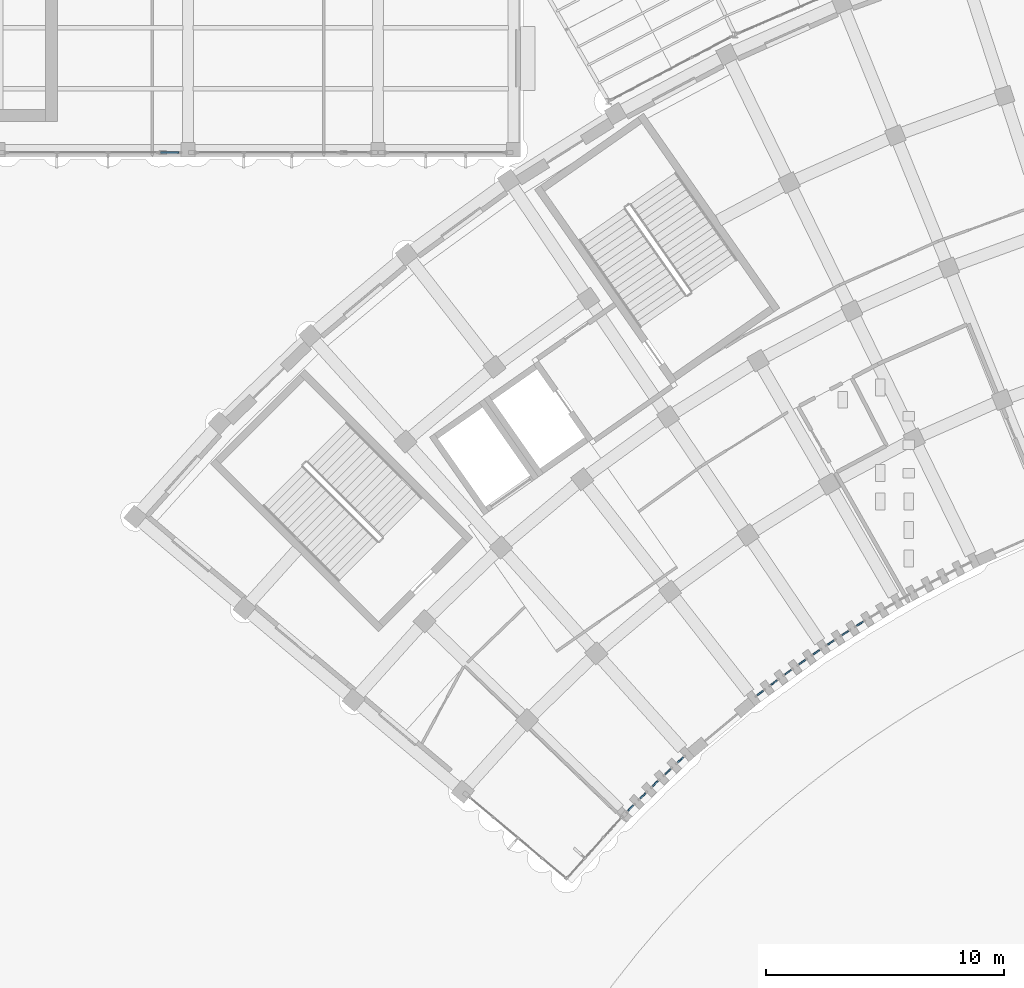
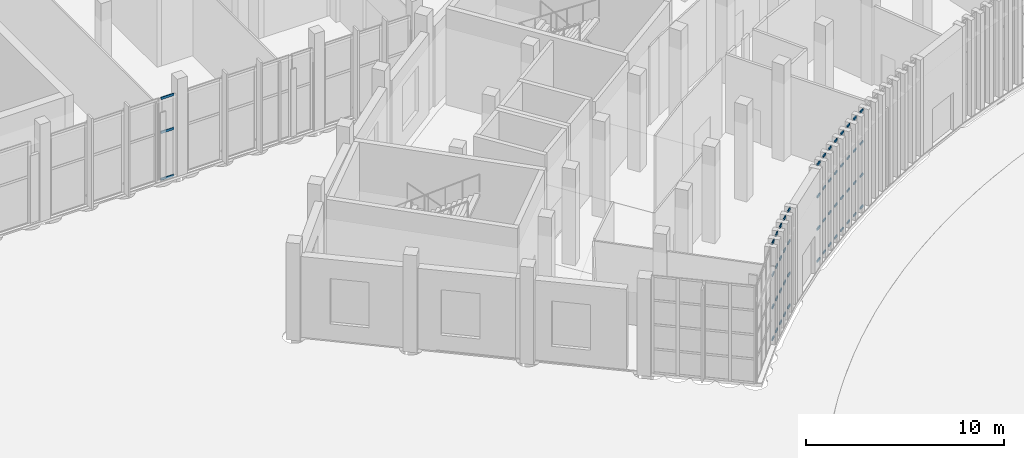
# One storey, part 63 of 155: 55 members, 14 elements without a shape of their own.
"""IFC4 building model written with IfcOpenShell, lengths in metres."""

from ifc_helpers import new_model, si_unit, direction, frame, origin, origin_2d, place, context, subcontext, project, spatial, rectangle, extrude, material, layer, layer_set, material_profile, profile_set, type_object, element, aggregate, save


model = new_model("IFC4")

# Units and contexts
model_context = context("Model", 3, precision=1e-05, world=origin(), true_north=direction((0.0, 1.0)))
body_context = subcontext(model_context, "Body", "Model", "MODEL_VIEW")
ifc_project = project(units=[si_unit("LENGTHUNIT", "METRE"), si_unit("AREAUNIT", "SQUARE_METRE"), si_unit("VOLUMEUNIT", "CUBIC_METRE"), si_unit("PLANEANGLEUNIT", "RADIAN"), si_unit("MASSUNIT", "GRAM", prefix="KILO")], contexts=[model_context])

# Site, building, storey
site_placement = place(None, origin())
site = spatial("IfcSite", under=ifc_project, at=site_placement, CompositionType="ELEMENT")
building_placement = place(site_placement, origin())
building = spatial("IfcBuilding", under=site, at=building_placement, Name="Lunette Opera House", CompositionType="ELEMENT")
storey_placement = place(building_placement, origin())
storey = spatial("IfcBuildingStorey", under=building, at=storey_placement, Name="L00", CompositionType="ELEMENT", Elevation=0.0)

# Curtain wall, members
ifc_material_1 = material(Name="Aluminium", Category="aluminium")
ifc_layer_1 = layer(ifc_material_1, 0.1201171875)
ifc_layer_set_1 = layer_set([ifc_layer_1], Name="Aluminium")
curtain_wall_type_1 = type_object("IfcCurtainWallType", Name="SLOT CURTAIN WALL", PredefinedType="NOTDEFINED", material=ifc_layer_set_1)
curtain_wall_1_placement = place(storey_placement, origin())
curtain_wall_1 = element("IfcCurtainWall", 1, at=curtain_wall_1_placement, inside=storey, type_object=curtain_wall_type_1, Name="Slot Curtain Wall CS001 L00", PredefinedType="NOTDEFINED")
ifc_material_2 = material(Name="Aluminium", Category="aluminium")
ifc_material_profile_1 = material_profile(ifc_material_2, rectangle(XDim=0.06005859375, YDim=0.1201171875, at=origin_2d()), Name="TRANSOM 60 X 120")
ifc_profile_set_1 = profile_set([ifc_material_profile_1], Name="Aluminium")
member_type_1 = type_object("IfcMemberType", Name="TRANSOM 60 X 120", PredefinedType="USERDEFINED", material=ifc_profile_set_1)
member_1_placement = place(storey_placement, frame((58.52490234375, 36.48095703125, 0.030029296875), z_axis=(0.698805007599, 0.715312212502, 0.0), x_axis=(-0.715312212502, 0.698805007599, 0.0)))
member_1 = element("IfcMember", 2, at=member_1_placement, type_object=member_type_1, Name="FC-X2001 transom 1.1", ObjectType="TRANSOM", PredefinedType="USERDEFINED", context=body_context, shape_type="SweptSolid", body=[
    extrude(rectangle(XDim=0.06005859375, YDim=0.1201171875, at=origin_2d()), origin(), (0.0, 0.0, 1.0), 0.310546875),
])
member_2_placement = place(storey_placement, frame((58.52490234375, 36.48095703125, 2.0), z_axis=(0.698805007599, 0.715312212502, 0.0), x_axis=(-0.715312212502, 0.698805007599, 0.0)))
member_2 = element("IfcMember", 3, at=member_2_placement, type_object=member_type_1, Name="FC-X2001 transom 1.2", ObjectType="TRANSOM", PredefinedType="USERDEFINED", context=body_context, shape_type="SweptSolid", body=[
    extrude(rectangle(XDim=0.06005859375, YDim=0.1201171875, at=origin_2d()), origin(), (0.0, 0.0, 1.0), 0.310546875),
])
member_3_placement = place(storey_placement, frame((58.52490234375, 36.48095703125, 4.0), z_axis=(0.698805007599, 0.715312212502, 0.0), x_axis=(-0.715312212502, 0.698805007599, 0.0)))
member_3 = element("IfcMember", 4, at=member_3_placement, type_object=member_type_1, Name="FC-X2001 transom 1.3", ObjectType="TRANSOM", PredefinedType="USERDEFINED", context=body_context, shape_type="SweptSolid", body=[
    extrude(rectangle(XDim=0.06005859375, YDim=0.1201171875, at=origin_2d()), origin(), (0.0, 0.0, 1.0), 0.310546875),
])
member_4_placement = place(storey_placement, frame((58.52490234375, 36.48095703125, 5.969970703125), z_axis=(0.698805007599, 0.715312212502, 0.0), x_axis=(-0.715312212502, 0.698805007599, 0.0)))
member_4 = element("IfcMember", 5, at=member_4_placement, type_object=member_type_1, Name="FC-X2001 transom 1.4", ObjectType="TRANSOM", PredefinedType="USERDEFINED", context=body_context, shape_type="SweptSolid", body=[
    extrude(rectangle(XDim=0.06005859375, YDim=0.1201171875, at=origin_2d()), origin(), (0.0, 0.0, 1.0), 0.310546875),
])
aggregate(curtain_wall_1, [member_1, member_2, member_3, member_4])

curtain_wall_2_placement = place(storey_placement, origin())
curtain_wall_2 = element("IfcCurtainWall", 6, at=curtain_wall_2_placement, inside=storey, type_object=curtain_wall_type_1, Name="Slot Curtain Wall CS002 L00", PredefinedType="NOTDEFINED")
member_5_placement = place(storey_placement, frame((59.03759765625, 37.001220703125, 0.030029296875), z_axis=(0.710635387605, 0.703560477773, 0.0), x_axis=(-0.703560477773, 0.710635387605, 0.0)))
member_5 = element("IfcMember", 7, at=member_5_placement, type_object=member_type_1, Name="FC-X2003 transom 1.1", ObjectType="TRANSOM", PredefinedType="USERDEFINED", context=body_context, shape_type="SweptSolid", body=[
    extrude(rectangle(XDim=0.06005859375, YDim=0.1201171875, at=origin_2d()), origin(), (0.0, 0.0, 1.0), 0.310546875),
])
member_6_placement = place(storey_placement, frame((59.03759765625, 37.001220703125, 2.0), z_axis=(0.710635387605, 0.703560477773, 0.0), x_axis=(-0.703560477773, 0.710635387605, 0.0)))
member_6 = element("IfcMember", 8, at=member_6_placement, type_object=member_type_1, Name="FC-X2003 transom 1.2", ObjectType="TRANSOM", PredefinedType="USERDEFINED", context=body_context, shape_type="SweptSolid", body=[
    extrude(rectangle(XDim=0.06005859375, YDim=0.1201171875, at=origin_2d()), origin(), (0.0, 0.0, 1.0), 0.310546875),
])
member_7_placement = place(storey_placement, frame((59.03759765625, 37.001220703125, 4.0), z_axis=(0.710635387605, 0.703560477773, 0.0), x_axis=(-0.703560477773, 0.710635387605, 0.0)))
member_7 = element("IfcMember", 9, at=member_7_placement, type_object=member_type_1, Name="FC-X2003 transom 1.3", ObjectType="TRANSOM", PredefinedType="USERDEFINED", context=body_context, shape_type="SweptSolid", body=[
    extrude(rectangle(XDim=0.06005859375, YDim=0.1201171875, at=origin_2d()), origin(), (0.0, 0.0, 1.0), 0.310546875),
])
member_8_placement = place(storey_placement, frame((59.03759765625, 37.001220703125, 5.969970703125), z_axis=(0.710635387605, 0.703560477773, 0.0), x_axis=(-0.703560477773, 0.710635387605, 0.0)))
member_8 = element("IfcMember", 10, at=member_8_placement, type_object=member_type_1, Name="FC-X2003 transom 1.4", ObjectType="TRANSOM", PredefinedType="USERDEFINED", context=body_context, shape_type="SweptSolid", body=[
    extrude(rectangle(XDim=0.06005859375, YDim=0.1201171875, at=origin_2d()), origin(), (0.0, 0.0, 1.0), 0.310546875),
])
aggregate(curtain_wall_2, [member_5, member_6, member_7, member_8])

curtain_wall_3_placement = place(storey_placement, origin())
curtain_wall_3 = element("IfcCurtainWall", 11, at=curtain_wall_3_placement, inside=storey, type_object=curtain_wall_type_1, Name="Slot Curtain Wall CS003 L00", PredefinedType="NOTDEFINED")
member_9_placement = place(storey_placement, frame((59.55810546875, 37.513671875, 0.030029296875), z_axis=(0.71843703481, 0.695591997519, 0.0), x_axis=(-0.695591997519, 0.71843703481, 0.0)))
member_9 = element("IfcMember", 12, at=member_9_placement, type_object=member_type_1, Name="FC-X2005 transom 1.1", ObjectType="TRANSOM", PredefinedType="USERDEFINED", context=body_context, shape_type="SweptSolid", body=[
    extrude(rectangle(XDim=0.06005859375, YDim=0.1201171875, at=origin_2d()), origin(), (0.0, 0.0, 1.0), 0.309814453125),
])
member_10_placement = place(storey_placement, frame((59.55810546875, 37.513671875, 2.0), z_axis=(0.71843703481, 0.695591997519, 0.0), x_axis=(-0.695591997519, 0.71843703481, 0.0)))
member_10 = element("IfcMember", 13, at=member_10_placement, type_object=member_type_1, Name="FC-X2005 transom 1.2", ObjectType="TRANSOM", PredefinedType="USERDEFINED", context=body_context, shape_type="SweptSolid", body=[
    extrude(rectangle(XDim=0.06005859375, YDim=0.1201171875, at=origin_2d()), origin(), (0.0, 0.0, 1.0), 0.309814453125),
])
member_11_placement = place(storey_placement, frame((59.55810546875, 37.513671875, 4.0), z_axis=(0.71843703481, 0.695591997519, 0.0), x_axis=(-0.695591997519, 0.71843703481, 0.0)))
member_11 = element("IfcMember", 14, at=member_11_placement, type_object=member_type_1, Name="FC-X2005 transom 1.3", ObjectType="TRANSOM", PredefinedType="USERDEFINED", context=body_context, shape_type="SweptSolid", body=[
    extrude(rectangle(XDim=0.06005859375, YDim=0.1201171875, at=origin_2d()), origin(), (0.0, 0.0, 1.0), 0.309814453125),
])
member_12_placement = place(storey_placement, frame((59.55810546875, 37.513671875, 5.969970703125), z_axis=(0.71843703481, 0.695591997519, 0.0), x_axis=(-0.695591997519, 0.71843703481, 0.0)))
member_12 = element("IfcMember", 15, at=member_12_placement, type_object=member_type_1, Name="FC-X2005 transom 1.4", ObjectType="TRANSOM", PredefinedType="USERDEFINED", context=body_context, shape_type="SweptSolid", body=[
    extrude(rectangle(XDim=0.06005859375, YDim=0.1201171875, at=origin_2d()), origin(), (0.0, 0.0, 1.0), 0.309814453125),
])
aggregate(curtain_wall_3, [member_9, member_10, member_11, member_12])

curtain_wall_4_placement = place(storey_placement, origin())
curtain_wall_4 = element("IfcCurtainWall", 16, at=curtain_wall_4_placement, inside=storey, type_object=curtain_wall_type_1, Name="Slot Curtain Wall CS004 L00", PredefinedType="NOTDEFINED")
member_13_placement = place(storey_placement, frame((60.085693359375, 38.01806640625, 0.030029296875), z_axis=(0.727275036379, 0.686346138228, 0.0), x_axis=(-0.686346138228, 0.727275036379, 0.0)))
member_13 = element("IfcMember", 17, at=member_13_placement, type_object=member_type_1, Name="FC-X2007 transom 1.1", ObjectType="TRANSOM", PredefinedType="USERDEFINED", context=body_context, shape_type="SweptSolid", body=[
    extrude(rectangle(XDim=0.06005859375, YDim=0.1201171875, at=origin_2d()), origin(), (0.0, 0.0, 1.0), 0.31005859375),
])
member_14_placement = place(storey_placement, frame((60.085693359375, 38.01806640625, 2.0), z_axis=(0.727275036379, 0.686346138228, 0.0), x_axis=(-0.686346138228, 0.727275036379, 0.0)))
member_14 = element("IfcMember", 18, at=member_14_placement, type_object=member_type_1, Name="FC-X2007 transom 1.2", ObjectType="TRANSOM", PredefinedType="USERDEFINED", context=body_context, shape_type="SweptSolid", body=[
    extrude(rectangle(XDim=0.06005859375, YDim=0.1201171875, at=origin_2d()), origin(), (0.0, 0.0, 1.0), 0.31005859375),
])
member_15_placement = place(storey_placement, frame((60.085693359375, 38.01806640625, 4.0), z_axis=(0.727275036379, 0.686346138228, 0.0), x_axis=(-0.686346138228, 0.727275036379, 0.0)))
member_15 = element("IfcMember", 19, at=member_15_placement, type_object=member_type_1, Name="FC-X2007 transom 1.3", ObjectType="TRANSOM", PredefinedType="USERDEFINED", context=body_context, shape_type="SweptSolid", body=[
    extrude(rectangle(XDim=0.06005859375, YDim=0.1201171875, at=origin_2d()), origin(), (0.0, 0.0, 1.0), 0.31005859375),
])
member_16_placement = place(storey_placement, frame((60.085693359375, 38.01806640625, 5.969970703125), z_axis=(0.727275036379, 0.686346138228, 0.0), x_axis=(-0.686346138228, 0.727275036379, 0.0)))
member_16 = element("IfcMember", 20, at=member_16_placement, type_object=member_type_1, Name="FC-X2007 transom 1.4", ObjectType="TRANSOM", PredefinedType="USERDEFINED", context=body_context, shape_type="SweptSolid", body=[
    extrude(rectangle(XDim=0.06005859375, YDim=0.1201171875, at=origin_2d()), origin(), (0.0, 0.0, 1.0), 0.31005859375),
])
aggregate(curtain_wall_4, [member_13, member_14, member_15, member_16])

curtain_wall_5_placement = place(storey_placement, origin())
curtain_wall_5 = element("IfcCurtainWall", 21, at=curtain_wall_5_placement, inside=storey, type_object=curtain_wall_type_1, Name="Slot Curtain Wall CS005 L00", PredefinedType="NOTDEFINED")
member_17_placement = place(storey_placement, frame((60.619384765625, 38.516357421875, 0.030029296875), z_axis=(0.738621715526, 0.674120138665, 0.0), x_axis=(-0.674120138665, 0.738621715526, 0.0)))
member_17 = element("IfcMember", 22, at=member_17_placement, type_object=member_type_1, Name="FC-X2009 transom 1.1", ObjectType="TRANSOM", PredefinedType="USERDEFINED", context=body_context, shape_type="SweptSolid", body=[
    extrude(rectangle(XDim=0.06005859375, YDim=0.1201171875, at=origin_2d()), origin(), (0.0, 0.0, 1.0), 0.310302734375),
])
member_18_placement = place(storey_placement, frame((60.619384765625, 38.516357421875, 2.0), z_axis=(0.738621715526, 0.674120138665, 0.0), x_axis=(-0.674120138665, 0.738621715526, 0.0)))
member_18 = element("IfcMember", 23, at=member_18_placement, type_object=member_type_1, Name="FC-X2009 transom 1.2", ObjectType="TRANSOM", PredefinedType="USERDEFINED", context=body_context, shape_type="SweptSolid", body=[
    extrude(rectangle(XDim=0.06005859375, YDim=0.1201171875, at=origin_2d()), origin(), (0.0, 0.0, 1.0), 0.310302734375),
])
member_19_placement = place(storey_placement, frame((60.619384765625, 38.516357421875, 4.0), z_axis=(0.738621715526, 0.674120138665, 0.0), x_axis=(-0.674120138665, 0.738621715526, 0.0)))
member_19 = element("IfcMember", 24, at=member_19_placement, type_object=member_type_1, Name="FC-X2009 transom 1.3", ObjectType="TRANSOM", PredefinedType="USERDEFINED", context=body_context, shape_type="SweptSolid", body=[
    extrude(rectangle(XDim=0.06005859375, YDim=0.1201171875, at=origin_2d()), origin(), (0.0, 0.0, 1.0), 0.310302734375),
])
member_20_placement = place(storey_placement, frame((60.619384765625, 38.516357421875, 5.969970703125), z_axis=(0.738621715526, 0.674120138665, 0.0), x_axis=(-0.674120138665, 0.738621715526, 0.0)))
member_20 = element("IfcMember", 25, at=member_20_placement, type_object=member_type_1, Name="FC-X2009 transom 1.4", ObjectType="TRANSOM", PredefinedType="USERDEFINED", context=body_context, shape_type="SweptSolid", body=[
    extrude(rectangle(XDim=0.06005859375, YDim=0.1201171875, at=origin_2d()), origin(), (0.0, 0.0, 1.0), 0.310302734375),
])
aggregate(curtain_wall_5, [member_17, member_18, member_19, member_20])

curtain_wall_6_placement = place(storey_placement, origin())
curtain_wall_6 = element("IfcCurtainWall", 26, at=curtain_wall_6_placement, inside=storey, type_object=curtain_wall_type_1, Name="Slot Curtain Wall CS006 L00", PredefinedType="NOTDEFINED")
member_21_placement = place(storey_placement, frame((63.966552734375, 41.341552734375, 0.030029296875), z_axis=(0.791717068558, 0.610887946643, 0.0), x_axis=(-0.610887946643, 0.791717068558, 0.0)))
member_21 = element("IfcMember", 27, at=member_21_placement, type_object=member_type_1, Name="FC-X2011 transom 1.1", ObjectType="TRANSOM", PredefinedType="USERDEFINED", context=body_context, shape_type="SweptSolid", body=[
    extrude(rectangle(XDim=0.06005859375, YDim=0.1201171875, at=origin_2d()), origin(), (0.0, 0.0, 1.0), 0.310546875),
])
member_22_placement = place(storey_placement, frame((63.966552734375, 41.341552734375, 2.0), z_axis=(0.791717068558, 0.610887946643, 0.0), x_axis=(-0.610887946643, 0.791717068558, 0.0)))
member_22 = element("IfcMember", 28, at=member_22_placement, type_object=member_type_1, Name="FC-X2011 transom 1.2", ObjectType="TRANSOM", PredefinedType="USERDEFINED", context=body_context, shape_type="SweptSolid", body=[
    extrude(rectangle(XDim=0.06005859375, YDim=0.1201171875, at=origin_2d()), origin(), (0.0, 0.0, 1.0), 0.310546875),
])
member_23_placement = place(storey_placement, frame((63.966552734375, 41.341552734375, 4.0), z_axis=(0.791717068558, 0.610887946643, 0.0), x_axis=(-0.610887946643, 0.791717068558, 0.0)))
member_23 = element("IfcMember", 29, at=member_23_placement, type_object=member_type_1, Name="FC-X2011 transom 1.3", ObjectType="TRANSOM", PredefinedType="USERDEFINED", context=body_context, shape_type="SweptSolid", body=[
    extrude(rectangle(XDim=0.06005859375, YDim=0.1201171875, at=origin_2d()), origin(), (0.0, 0.0, 1.0), 0.310546875),
])
member_24_placement = place(storey_placement, frame((63.966552734375, 41.341552734375, 5.969970703125), z_axis=(0.791717068558, 0.610887946643, 0.0), x_axis=(-0.610887946643, 0.791717068558, 0.0)))
member_24 = element("IfcMember", 30, at=member_24_placement, type_object=member_type_1, Name="FC-X2011 transom 1.4", ObjectType="TRANSOM", PredefinedType="USERDEFINED", context=body_context, shape_type="SweptSolid", body=[
    extrude(rectangle(XDim=0.06005859375, YDim=0.1201171875, at=origin_2d()), origin(), (0.0, 0.0, 1.0), 0.310546875),
])
aggregate(curtain_wall_6, [member_21, member_22, member_23, member_24])

curtain_wall_7_placement = place(storey_placement, origin())
curtain_wall_7 = element("IfcCurtainWall", 31, at=curtain_wall_7_placement, inside=storey, type_object=curtain_wall_type_1, Name="Slot Curtain Wall CS007 L00", PredefinedType="NOTDEFINED")
member_25_placement = place(storey_placement, frame((64.547119140625, 41.784912109375, 0.030029296875), z_axis=(0.800847988347, 0.598867681178, 0.0), x_axis=(-0.598867681178, 0.800847988347, 0.0)))
member_25 = element("IfcMember", 32, at=member_25_placement, type_object=member_type_1, Name="FC-X2013 transom 1.1", ObjectType="TRANSOM", PredefinedType="USERDEFINED", context=body_context, shape_type="SweptSolid", body=[
    extrude(rectangle(XDim=0.06005859375, YDim=0.1201171875, at=origin_2d()), origin(), (0.0, 0.0, 1.0), 0.310546875),
])
member_26_placement = place(storey_placement, frame((64.547119140625, 41.784912109375, 2.0), z_axis=(0.800847988347, 0.598867681178, 0.0), x_axis=(-0.598867681178, 0.800847988347, 0.0)))
member_26 = element("IfcMember", 33, at=member_26_placement, type_object=member_type_1, Name="FC-X2013 transom 1.2", ObjectType="TRANSOM", PredefinedType="USERDEFINED", context=body_context, shape_type="SweptSolid", body=[
    extrude(rectangle(XDim=0.06005859375, YDim=0.1201171875, at=origin_2d()), origin(), (0.0, 0.0, 1.0), 0.310546875),
])
member_27_placement = place(storey_placement, frame((64.547119140625, 41.784912109375, 4.0), z_axis=(0.800847988347, 0.598867681178, 0.0), x_axis=(-0.598867681178, 0.800847988347, 0.0)))
member_27 = element("IfcMember", 34, at=member_27_placement, type_object=member_type_1, Name="FC-X2013 transom 1.3", ObjectType="TRANSOM", PredefinedType="USERDEFINED", context=body_context, shape_type="SweptSolid", body=[
    extrude(rectangle(XDim=0.06005859375, YDim=0.1201171875, at=origin_2d()), origin(), (0.0, 0.0, 1.0), 0.310546875),
])
member_28_placement = place(storey_placement, frame((64.547119140625, 41.784912109375, 5.969970703125), z_axis=(0.800847988347, 0.598867681178, 0.0), x_axis=(-0.598867681178, 0.800847988347, 0.0)))
member_28 = element("IfcMember", 35, at=member_28_placement, type_object=member_type_1, Name="FC-X2013 transom 1.4", ObjectType="TRANSOM", PredefinedType="USERDEFINED", context=body_context, shape_type="SweptSolid", body=[
    extrude(rectangle(XDim=0.06005859375, YDim=0.1201171875, at=origin_2d()), origin(), (0.0, 0.0, 1.0), 0.310546875),
])
aggregate(curtain_wall_7, [member_25, member_26, member_27, member_28])

curtain_wall_8_placement = place(storey_placement, origin())
curtain_wall_8 = element("IfcCurtainWall", 36, at=curtain_wall_8_placement, inside=storey, type_object=curtain_wall_type_1, Name="Slot Curtain Wall CS008 L00", PredefinedType="NOTDEFINED")
member_29_placement = place(storey_placement, frame((65.133544921875, 42.22021484375, 0.030029296875), z_axis=(0.808600006297, 0.588358759446, 0.0), x_axis=(-0.588358759446, 0.808600006297, 0.0)))
member_29 = element("IfcMember", 37, at=member_29_placement, type_object=member_type_1, Name="FC-X2015 transom 1.1", ObjectType="TRANSOM", PredefinedType="USERDEFINED", context=body_context, shape_type="SweptSolid", body=[
    extrude(rectangle(XDim=0.06005859375, YDim=0.1201171875, at=origin_2d()), origin(), (0.0, 0.0, 1.0), 0.310302734375),
])
member_30_placement = place(storey_placement, frame((65.133544921875, 42.22021484375, 2.0), z_axis=(0.808600006297, 0.588358759446, 0.0), x_axis=(-0.588358759446, 0.808600006297, 0.0)))
member_30 = element("IfcMember", 38, at=member_30_placement, type_object=member_type_1, Name="FC-X2015 transom 1.2", ObjectType="TRANSOM", PredefinedType="USERDEFINED", context=body_context, shape_type="SweptSolid", body=[
    extrude(rectangle(XDim=0.06005859375, YDim=0.1201171875, at=origin_2d()), origin(), (0.0, 0.0, 1.0), 0.310302734375),
])
member_31_placement = place(storey_placement, frame((65.133544921875, 42.22021484375, 4.0), z_axis=(0.808600006297, 0.588358759446, 0.0), x_axis=(-0.588358759446, 0.808600006297, 0.0)))
member_31 = element("IfcMember", 39, at=member_31_placement, type_object=member_type_1, Name="FC-X2015 transom 1.3", ObjectType="TRANSOM", PredefinedType="USERDEFINED", context=body_context, shape_type="SweptSolid", body=[
    extrude(rectangle(XDim=0.06005859375, YDim=0.1201171875, at=origin_2d()), origin(), (0.0, 0.0, 1.0), 0.310302734375),
])
member_32_placement = place(storey_placement, frame((65.133544921875, 42.22021484375, 5.969970703125), z_axis=(0.808600006297, 0.588358759446, 0.0), x_axis=(-0.588358759446, 0.808600006297, 0.0)))
member_32 = element("IfcMember", 40, at=member_32_placement, type_object=member_type_1, Name="FC-X2015 transom 1.4", ObjectType="TRANSOM", PredefinedType="USERDEFINED", context=body_context, shape_type="SweptSolid", body=[
    extrude(rectangle(XDim=0.06005859375, YDim=0.1201171875, at=origin_2d()), origin(), (0.0, 0.0, 1.0), 0.310302734375),
])
aggregate(curtain_wall_8, [member_29, member_30, member_31, member_32])

curtain_wall_9_placement = place(storey_placement, origin())
curtain_wall_9 = element("IfcCurtainWall", 41, at=curtain_wall_9_placement, inside=storey, type_object=curtain_wall_type_1, Name="Slot Curtain Wall CS009 L00", PredefinedType="NOTDEFINED")
member_33_placement = place(storey_placement, frame((65.72607421875, 42.646484375, 0.030029296875), z_axis=(0.817381498567, 0.57609676774, 0.0), x_axis=(-0.57609676774, 0.817381498567, 0.0)))
member_33 = element("IfcMember", 42, at=member_33_placement, type_object=member_type_1, Name="FC-X2017 transom 1.1", ObjectType="TRANSOM", PredefinedType="USERDEFINED", context=body_context, shape_type="SweptSolid", body=[
    extrude(rectangle(XDim=0.06005859375, YDim=0.1201171875, at=origin_2d()), origin(), (0.0, 0.0, 1.0), 0.310546875),
])
member_34_placement = place(storey_placement, frame((65.72607421875, 42.646484375, 2.0), z_axis=(0.817381498567, 0.57609676774, 0.0), x_axis=(-0.57609676774, 0.817381498567, 0.0)))
member_34 = element("IfcMember", 43, at=member_34_placement, type_object=member_type_1, Name="FC-X2017 transom 1.2", ObjectType="TRANSOM", PredefinedType="USERDEFINED", context=body_context, shape_type="SweptSolid", body=[
    extrude(rectangle(XDim=0.06005859375, YDim=0.1201171875, at=origin_2d()), origin(), (0.0, 0.0, 1.0), 0.310546875),
])
member_35_placement = place(storey_placement, frame((65.72607421875, 42.646484375, 4.0), z_axis=(0.817381498567, 0.57609676774, 0.0), x_axis=(-0.57609676774, 0.817381498567, 0.0)))
member_35 = element("IfcMember", 44, at=member_35_placement, type_object=member_type_1, Name="FC-X2017 transom 1.3", ObjectType="TRANSOM", PredefinedType="USERDEFINED", context=body_context, shape_type="SweptSolid", body=[
    extrude(rectangle(XDim=0.06005859375, YDim=0.1201171875, at=origin_2d()), origin(), (0.0, 0.0, 1.0), 0.310546875),
])
member_36_placement = place(storey_placement, frame((65.72607421875, 42.646484375, 5.969970703125), z_axis=(0.817381498567, 0.57609676774, 0.0), x_axis=(-0.57609676774, 0.817381498567, 0.0)))
member_36 = element("IfcMember", 45, at=member_36_placement, type_object=member_type_1, Name="FC-X2017 transom 1.4", ObjectType="TRANSOM", PredefinedType="USERDEFINED", context=body_context, shape_type="SweptSolid", body=[
    extrude(rectangle(XDim=0.06005859375, YDim=0.1201171875, at=origin_2d()), origin(), (0.0, 0.0, 1.0), 0.310546875),
])
aggregate(curtain_wall_9, [member_33, member_34, member_35, member_36])

curtain_wall_10_placement = place(storey_placement, origin())
curtain_wall_10 = element("IfcCurtainWall", 46, at=curtain_wall_10_placement, inside=storey, type_object=curtain_wall_type_1, Name="Slot Curtain Wall CS010 L00", PredefinedType="NOTDEFINED")
member_37_placement = place(storey_placement, frame((66.324462890625, 43.06591796875, 0.030029296875), z_axis=(0.825210771516, 0.564824913202, 0.0), x_axis=(-0.564824913202, 0.825210771516, 0.0)))
member_37 = element("IfcMember", 47, at=member_37_placement, type_object=member_type_1, Name="FC-X2019 transom 1.1", ObjectType="TRANSOM", PredefinedType="USERDEFINED", context=body_context, shape_type="SweptSolid", body=[
    extrude(rectangle(XDim=0.06005859375, YDim=0.1201171875, at=origin_2d()), origin(), (0.0, 0.0, 1.0), 0.310302734375),
])
member_38_placement = place(storey_placement, frame((66.324462890625, 43.06591796875, 2.0), z_axis=(0.825210771516, 0.564824913202, 0.0), x_axis=(-0.564824913202, 0.825210771516, 0.0)))
member_38 = element("IfcMember", 48, at=member_38_placement, type_object=member_type_1, Name="FC-X2019 transom 1.2", ObjectType="TRANSOM", PredefinedType="USERDEFINED", context=body_context, shape_type="SweptSolid", body=[
    extrude(rectangle(XDim=0.06005859375, YDim=0.1201171875, at=origin_2d()), origin(), (0.0, 0.0, 1.0), 0.310302734375),
])
member_39_placement = place(storey_placement, frame((66.324462890625, 43.06591796875, 4.0), z_axis=(0.825210771516, 0.564824913202, 0.0), x_axis=(-0.564824913202, 0.825210771516, 0.0)))
member_39 = element("IfcMember", 49, at=member_39_placement, type_object=member_type_1, Name="FC-X2019 transom 1.3", ObjectType="TRANSOM", PredefinedType="USERDEFINED", context=body_context, shape_type="SweptSolid", body=[
    extrude(rectangle(XDim=0.06005859375, YDim=0.1201171875, at=origin_2d()), origin(), (0.0, 0.0, 1.0), 0.310302734375),
])
member_40_placement = place(storey_placement, frame((66.324462890625, 43.06591796875, 5.969970703125), z_axis=(0.825210771516, 0.564824913202, 0.0), x_axis=(-0.564824913202, 0.825210771516, 0.0)))
member_40 = element("IfcMember", 50, at=member_40_placement, type_object=member_type_1, Name="FC-X2019 transom 1.4", ObjectType="TRANSOM", PredefinedType="USERDEFINED", context=body_context, shape_type="SweptSolid", body=[
    extrude(rectangle(XDim=0.06005859375, YDim=0.1201171875, at=origin_2d()), origin(), (0.0, 0.0, 1.0), 0.310302734375),
])
aggregate(curtain_wall_10, [member_37, member_38, member_39, member_40])

curtain_wall_11_placement = place(storey_placement, origin())
curtain_wall_11 = element("IfcCurtainWall", 51, at=curtain_wall_11_placement, inside=storey, type_object=curtain_wall_type_1, Name="Slot Curtain Wall CS011 L00", PredefinedType="NOTDEFINED")
member_41_placement = place(storey_placement, frame((66.928955078125, 43.47509765625, 0.030029296875), z_axis=(0.832655762321, 0.553790918554, 0.0), x_axis=(-0.553790918554, 0.832655762321, 0.0)))
member_41 = element("IfcMember", 52, at=member_41_placement, type_object=member_type_1, Name="FC-X2021 transom 1.1", ObjectType="TRANSOM", PredefinedType="USERDEFINED", context=body_context, shape_type="SweptSolid", body=[
    extrude(rectangle(XDim=0.06005859375, YDim=0.1201171875, at=origin_2d()), origin(), (0.0, 0.0, 1.0), 0.309814453125),
])
member_42_placement = place(storey_placement, frame((66.928955078125, 43.47509765625, 2.0), z_axis=(0.832655762321, 0.553790918554, 0.0), x_axis=(-0.553790918554, 0.832655762321, 0.0)))
member_42 = element("IfcMember", 53, at=member_42_placement, type_object=member_type_1, Name="FC-X2021 transom 1.2", ObjectType="TRANSOM", PredefinedType="USERDEFINED", context=body_context, shape_type="SweptSolid", body=[
    extrude(rectangle(XDim=0.06005859375, YDim=0.1201171875, at=origin_2d()), origin(), (0.0, 0.0, 1.0), 0.309814453125),
])
member_43_placement = place(storey_placement, frame((66.928955078125, 43.47509765625, 4.0), z_axis=(0.832655762321, 0.553790918554, 0.0), x_axis=(-0.553790918554, 0.832655762321, 0.0)))
member_43 = element("IfcMember", 54, at=member_43_placement, type_object=member_type_1, Name="FC-X2021 transom 1.3", ObjectType="TRANSOM", PredefinedType="USERDEFINED", context=body_context, shape_type="SweptSolid", body=[
    extrude(rectangle(XDim=0.06005859375, YDim=0.1201171875, at=origin_2d()), origin(), (0.0, 0.0, 1.0), 0.309814453125),
])
member_44_placement = place(storey_placement, frame((66.928955078125, 43.47509765625, 5.969970703125), z_axis=(0.832655762321, 0.553790918554, 0.0), x_axis=(-0.553790918554, 0.832655762321, 0.0)))
member_44 = element("IfcMember", 55, at=member_44_placement, type_object=member_type_1, Name="FC-X2021 transom 1.4", ObjectType="TRANSOM", PredefinedType="USERDEFINED", context=body_context, shape_type="SweptSolid", body=[
    extrude(rectangle(XDim=0.06005859375, YDim=0.1201171875, at=origin_2d()), origin(), (0.0, 0.0, 1.0), 0.309814453125),
])
aggregate(curtain_wall_11, [member_41, member_42, member_43, member_44])

curtain_wall_12_placement = place(storey_placement, origin())
curtain_wall_12 = element("IfcCurtainWall", 56, at=curtain_wall_12_placement, inside=storey, type_object=curtain_wall_type_1, Name="Slot Curtain Wall CS012 L00", PredefinedType="NOTDEFINED")
member_45_placement = place(storey_placement, frame((67.53857421875, 43.87744140625, 0.030029296875), z_axis=(0.84089722299, 0.541194845105, 0.0), x_axis=(-0.541194845105, 0.84089722299, 0.0)))
member_45 = element("IfcMember", 57, at=member_45_placement, type_object=member_type_1, Name="FC-X2023 transom 1.1", ObjectType="TRANSOM", PredefinedType="USERDEFINED", context=body_context, shape_type="SweptSolid", body=[
    extrude(rectangle(XDim=0.06005859375, YDim=0.1201171875, at=origin_2d()), origin(), (0.0, 0.0, 1.0), 0.310302734375),
])
member_46_placement = place(storey_placement, frame((67.53857421875, 43.87744140625, 2.0), z_axis=(0.84089722299, 0.541194845105, 0.0), x_axis=(-0.541194845105, 0.84089722299, 0.0)))
member_46 = element("IfcMember", 58, at=member_46_placement, type_object=member_type_1, Name="FC-X2023 transom 1.2", ObjectType="TRANSOM", PredefinedType="USERDEFINED", context=body_context, shape_type="SweptSolid", body=[
    extrude(rectangle(XDim=0.06005859375, YDim=0.1201171875, at=origin_2d()), origin(), (0.0, 0.0, 1.0), 0.310302734375),
])
member_47_placement = place(storey_placement, frame((67.53857421875, 43.87744140625, 4.0), z_axis=(0.84089722299, 0.541194845105, 0.0), x_axis=(-0.541194845105, 0.84089722299, 0.0)))
member_47 = element("IfcMember", 59, at=member_47_placement, type_object=member_type_1, Name="FC-X2023 transom 1.3", ObjectType="TRANSOM", PredefinedType="USERDEFINED", context=body_context, shape_type="SweptSolid", body=[
    extrude(rectangle(XDim=0.06005859375, YDim=0.1201171875, at=origin_2d()), origin(), (0.0, 0.0, 1.0), 0.310302734375),
])
member_48_placement = place(storey_placement, frame((67.53857421875, 43.87744140625, 5.969970703125), z_axis=(0.84089722299, 0.541194845105, 0.0), x_axis=(-0.541194845105, 0.84089722299, 0.0)))
member_48 = element("IfcMember", 60, at=member_48_placement, type_object=member_type_1, Name="FC-X2023 transom 1.4", ObjectType="TRANSOM", PredefinedType="USERDEFINED", context=body_context, shape_type="SweptSolid", body=[
    extrude(rectangle(XDim=0.06005859375, YDim=0.1201171875, at=origin_2d()), origin(), (0.0, 0.0, 1.0), 0.310302734375),
])
aggregate(curtain_wall_12, [member_45, member_46, member_47, member_48])

curtain_wall_13_placement = place(storey_placement, origin())
curtain_wall_13 = element("IfcCurtainWall", 61, at=curtain_wall_13_placement, inside=storey, type_object=curtain_wall_type_1, Name="Slot Curtain Wall CS013 L00", PredefinedType="NOTDEFINED")
member_49_placement = place(storey_placement, frame((68.15380859375, 44.270751953125, 0.030029296875), z_axis=(0.847909914871, 0.530140336385, 0.0), x_axis=(-0.530140336385, 0.847909914871, 0.0)))
member_49 = element("IfcMember", 62, at=member_49_placement, type_object=member_type_1, Name="FC-X2025 transom 1.1", ObjectType="TRANSOM", PredefinedType="USERDEFINED", context=body_context, shape_type="SweptSolid", body=[
    extrude(rectangle(XDim=0.06005859375, YDim=0.1201171875, at=origin_2d()), origin(), (0.0, 0.0, 1.0), 0.310302734375),
])
member_50_placement = place(storey_placement, frame((68.15380859375, 44.270751953125, 2.0), z_axis=(0.847909914871, 0.530140336385, 0.0), x_axis=(-0.530140336385, 0.847909914871, 0.0)))
member_50 = element("IfcMember", 63, at=member_50_placement, type_object=member_type_1, Name="FC-X2025 transom 1.2", ObjectType="TRANSOM", PredefinedType="USERDEFINED", context=body_context, shape_type="SweptSolid", body=[
    extrude(rectangle(XDim=0.06005859375, YDim=0.1201171875, at=origin_2d()), origin(), (0.0, 0.0, 1.0), 0.310302734375),
])
member_51_placement = place(storey_placement, frame((68.15380859375, 44.270751953125, 4.0), z_axis=(0.847909914871, 0.530140336385, 0.0), x_axis=(-0.530140336385, 0.847909914871, 0.0)))
member_51 = element("IfcMember", 64, at=member_51_placement, type_object=member_type_1, Name="FC-X2025 transom 1.3", ObjectType="TRANSOM", PredefinedType="USERDEFINED", context=body_context, shape_type="SweptSolid", body=[
    extrude(rectangle(XDim=0.06005859375, YDim=0.1201171875, at=origin_2d()), origin(), (0.0, 0.0, 1.0), 0.310302734375),
])
member_52_placement = place(storey_placement, frame((68.15380859375, 44.270751953125, 5.969970703125), z_axis=(0.847909914871, 0.530140336385, 0.0), x_axis=(-0.530140336385, 0.847909914871, 0.0)))
member_52 = element("IfcMember", 65, at=member_52_placement, type_object=member_type_1, Name="FC-X2025 transom 1.4", ObjectType="TRANSOM", PredefinedType="USERDEFINED", context=body_context, shape_type="SweptSolid", body=[
    extrude(rectangle(XDim=0.06005859375, YDim=0.1201171875, at=origin_2d()), origin(), (0.0, 0.0, 1.0), 0.310302734375),
])
aggregate(curtain_wall_13, [member_49, member_50, member_51, member_52])

ifc_material_3 = material(Name="Aluminium", Category="aluminium")
ifc_layer_2 = layer(ifc_material_3, 0.179931640625)
ifc_layer_set_2 = layer_set([ifc_layer_2], Name="Aluminium")
curtain_wall_type_2 = type_object("IfcCurtainWallType", Name="SUN FACE CURTAIN WALL", PredefinedType="NOTDEFINED", material=ifc_layer_set_2)
curtain_wall_14_placement = place(storey_placement, origin())
curtain_wall_14 = element("IfcCurtainWall", 66, at=curtain_wall_14_placement, inside=storey, type_object=curtain_wall_type_2, Name="Sun Face Curtain Wall F17-1 L00", PredefinedType="NOTDEFINED")
ifc_material_4 = material(Name="Aluminium", Category="aluminium")
ifc_material_profile_2 = material_profile(ifc_material_4, rectangle(XDim=0.06005859375, YDim=0.139892578125, at=origin_2d()), Name="TRANSOM 60 X 140")
ifc_profile_set_2 = profile_set([ifc_material_profile_2], Name="Aluminium")
member_type_2 = type_object("IfcMemberType", Name="TRANSOM 60 X 140", PredefinedType="USERDEFINED", material=ifc_profile_set_2)
member_53_placement = place(storey_placement, frame((38.847900390625, 64.18310546875, 0.030029296875), z_axis=(1.0, 0.0, 0.0), x_axis=(0.0, 1.0, 0.0)))
member_53 = element("IfcMember", 67, at=member_53_placement, type_object=member_type_2, Name="RW-X2011 transom 1.1", ObjectType="TRANSOM", PredefinedType="USERDEFINED", context=body_context, shape_type="SweptSolid", body=[
    extrude(rectangle(XDim=0.06005859375, YDim=0.139892578125, at=origin_2d()), origin(), (0.0, 0.0, 1.0), 0.76220703125),
])
member_54_placement = place(storey_placement, frame((38.847900390625, 64.18310546875, 2.925048828125), z_axis=(1.0, 0.0, 0.0), x_axis=(0.0, 1.0, 0.0)))
member_54 = element("IfcMember", 68, at=member_54_placement, type_object=member_type_2, Name="RW-X2011 transom 1.2", ObjectType="TRANSOM", PredefinedType="USERDEFINED", context=body_context, shape_type="SweptSolid", body=[
    extrude(rectangle(XDim=0.06005859375, YDim=0.139892578125, at=origin_2d()), origin(), (0.0, 0.0, 1.0), 0.76220703125),
])
member_55_placement = place(storey_placement, frame((38.847900390625, 64.18310546875, 5.02001953125), z_axis=(1.0, 0.0, 0.0), x_axis=(0.0, 1.0, 0.0)))
member_55 = element("IfcMember", 69, at=member_55_placement, type_object=member_type_2, Name="RW-X2011 transom 1.3", ObjectType="TRANSOM", PredefinedType="USERDEFINED", context=body_context, shape_type="SweptSolid", body=[
    extrude(rectangle(XDim=0.06005859375, YDim=0.139892578125, at=origin_2d()), origin(), (0.0, 0.0, 1.0), 0.76220703125),
])
aggregate(curtain_wall_14, [member_53, member_54, member_55])

save(model, "model.ifc")
